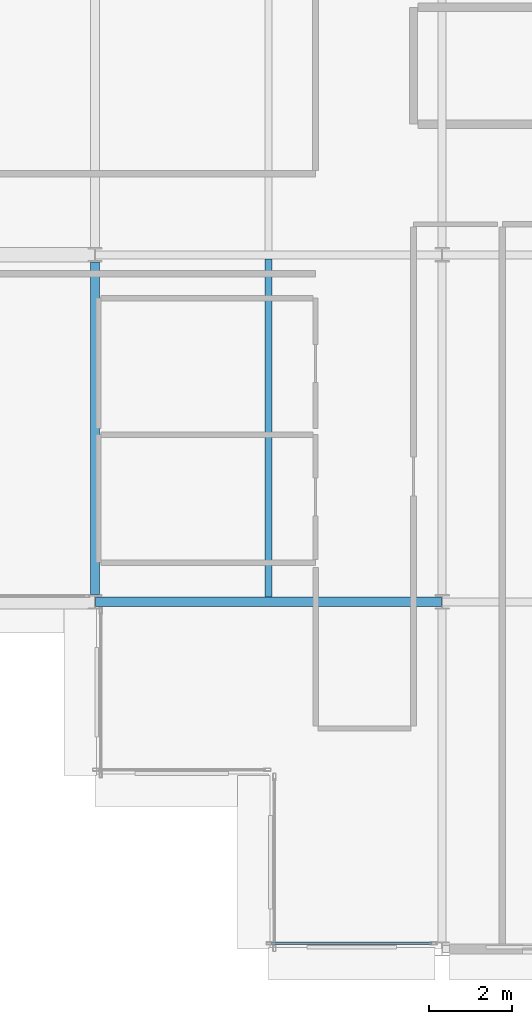
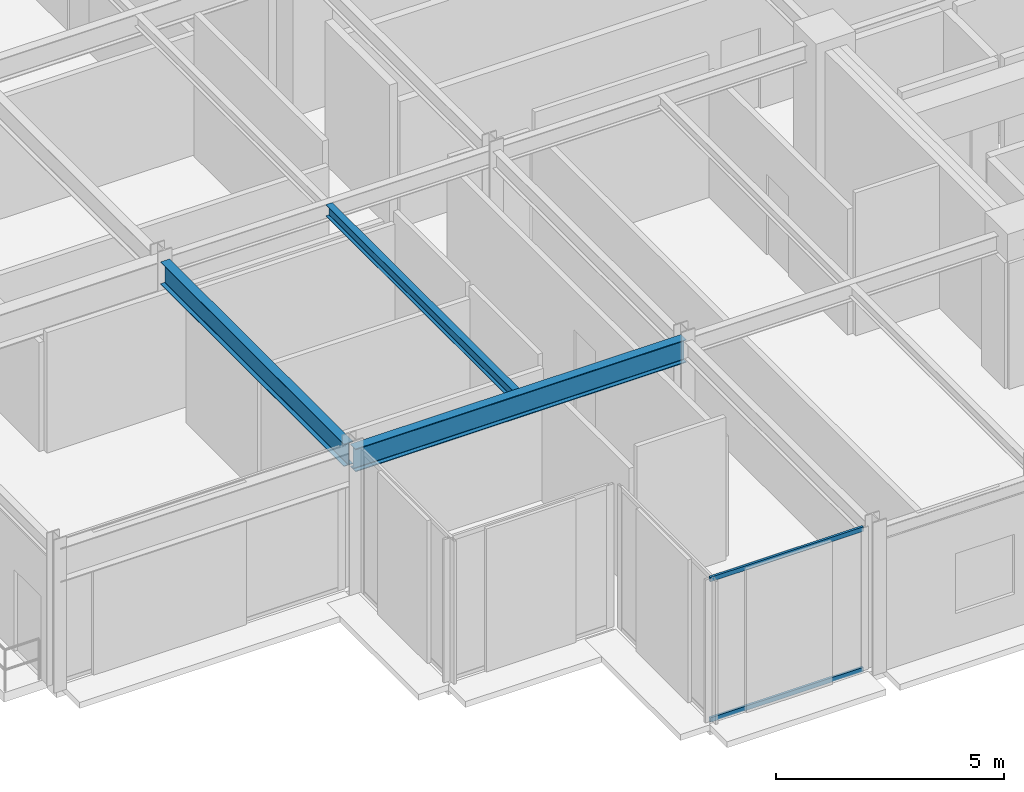
# One storey, part 5 of 29: 3 beams, 2 members, 1 element without a shape of its own.
"""IFC4 building model written with IfcOpenShell, lengths in metres."""

from ifc_helpers import new_model, si_unit, direction, frame, origin, origin_2d, place, context, subcontext, project, spatial, hollow_rectangle, i_section, extrude, material, layer, layer_set, material_profile, profile_set, type_object, element, aggregate, save


model = new_model("IFC4")

# Units and contexts
model_context = context("Model", 3, precision=1e-05, world=origin(), true_north=direction((0.0, 1.0)))
body_context = subcontext(model_context, "Body", "Model", "MODEL_VIEW")
ifc_project = project(units=[si_unit("LENGTHUNIT", "METRE"), si_unit("AREAUNIT", "SQUARE_METRE"), si_unit("VOLUMEUNIT", "CUBIC_METRE"), si_unit("PLANEANGLEUNIT", "RADIAN"), si_unit("MASSUNIT", "GRAM", prefix="KILO")], contexts=[model_context])

# Site, building, storey
site_placement = place(None, origin())
site = spatial("IfcSite", under=ifc_project, at=site_placement, CompositionType="ELEMENT")
building_placement = place(site_placement, origin())
building = spatial("IfcBuilding", under=site, at=building_placement, Name="Nerrivon Quay Data Exchange", CompositionType="ELEMENT")
storey_placement = place(building_placement, frame((0.0, 0.0, 191.89990234375)))
storey = spatial("IfcBuildingStorey", under=building, at=storey_placement, Name="L45", CompositionType="ELEMENT", Elevation=191.89990234375)

# Beams
ifc_material_1 = material(Name="Steel Grade 350", Category="steel")
ifc_material_profile_1 = material_profile(ifc_material_1, i_section(OverallWidth=0.22900390625, OverallDepth=0.612060546875, WebThickness=0.011962890625, FlangeThickness=0.01953125, FilletRadius=0.013916015625, at=origin_2d()), Name="610UB125")
ifc_profile_set_1 = profile_set([ifc_material_profile_1], Name="Steel Grade 350")
beam_type_1 = type_object("IfcBeamType", Name="BM-G1-610UB125", PredefinedType="BEAM", material=ifc_profile_set_1)
beam_1_placement = place(storey_placement, frame((0.010009765625, 8.39990234375, 3.51904296875), z_axis=(1.0, 0.0, 0.0), x_axis=(0.0, 1.0, 0.0)))
element("IfcBeam", 1, at=beam_1_placement, inside=storey, type_object=beam_type_1, Name="L45 EW Girder Y=8.4 (0.0..8.4)", PredefinedType="BEAM", context=body_context, shape_type="SweptSolid", body=[
    extrude(i_section(OverallWidth=0.22900390625, OverallDepth=0.612060546875, WebThickness=0.011962890625, FlangeThickness=0.01953125, FilletRadius=0.013916015625, at=origin_2d()), origin(), (0.0, 0.0, 1.0), 8.3798828125),
])
ifc_material_profile_2 = material_profile(ifc_material_1, i_section(OverallWidth=0.22802734375, OverallDepth=0.60205078125, WebThickness=0.010498046875, FlangeThickness=0.014892578125, FilletRadius=0.013916015625, at=origin_2d()), Name="610UB101")
ifc_profile_set_2 = profile_set([ifc_material_profile_2], Name="Steel Grade 350")
beam_type_2 = type_object("IfcBeamType", Name="BM-G2-610UB101", PredefinedType="BEAM", material=ifc_profile_set_2)
beam_2_placement = place(storey_placement, frame((0.0, 8.574951171875, 3.524169921875), z_axis=(0.0, 1.0, 0.0), x_axis=(-1.0, 0.0, 0.0)))
element("IfcBeam", 2, at=beam_2_placement, inside=storey, type_object=beam_type_2, Name="L45 NS Girder X=0.0 (8.4..16.8)", PredefinedType="BEAM", context=body_context, shape_type="SweptSolid", body=[
    extrude(i_section(OverallWidth=0.22802734375, OverallDepth=0.60205078125, WebThickness=0.010498046875, FlangeThickness=0.014892578125, FilletRadius=0.013916015625, at=origin_2d()), origin(), (0.0, 0.0, 1.0), 8.050048828125),
])
ifc_material_profile_3 = material_profile(ifc_material_1, i_section(OverallWidth=0.166015625, OverallDepth=0.306884765625, WebThickness=0.006591796875, FlangeThickness=0.01171875, FilletRadius=0.011474609375, at=origin_2d()), Name="310UB46.2")
ifc_profile_set_3 = profile_set([ifc_material_profile_3], Name="Steel Grade 350")
beam_type_3 = type_object("IfcBeamType", Name="BM-J5-310UB46", PredefinedType="JOIST", material=ifc_profile_set_3)
beam_3_placement = place(storey_placement, frame((4.199951171875, 8.514404296875, 3.671630859375), z_axis=(0.0, 1.0, 0.0), x_axis=(-1.0, 0.0, 0.0)))
element("IfcBeam", 3, at=beam_3_placement, inside=storey, type_object=beam_type_3, Name="L45 Secondary Joist X=4.2 (8.4..16.8)", PredefinedType="JOIST", context=body_context, shape_type="SweptSolid", body=[
    extrude(i_section(OverallWidth=0.166015625, OverallDepth=0.306884765625, WebThickness=0.006591796875, FlangeThickness=0.01171875, FilletRadius=0.011474609375, at=origin_2d()), origin(), (0.0, 0.0, 1.0), 8.190185546875),
])

# Curtain wall, members
ifc_material_2 = material(Name="Anodised aluminium 6063-T6", Category="aluminium")
ifc_layer = layer(ifc_material_2, 0.195068359375)
ifc_layer_set = layer_set([ifc_layer], Name="Anodised aluminium 6063-T6")
curtain_wall_type = type_object("IfcCurtainWallType", Name="CW-SYS-06", PredefinedType="NOTDEFINED", material=ifc_layer_set)
curtain_wall_placement = place(storey_placement, origin())
curtain_wall = element("IfcCurtainWall", 4, at=curtain_wall_placement, inside=storey, type_object=curtain_wall_type, Name="L45 Unitised Curtain Wall 28", PredefinedType="NOTDEFINED")
ifc_material_profile_4 = material_profile(ifc_material_2, hollow_rectangle(XDim=0.06005859375, YDim=0.1201171875, WallThickness=0.003173828125, at=origin_2d()), Name="ALU-TRAN-120x60")
ifc_profile_set_4 = profile_set([ifc_material_profile_4], Name="Anodised aluminium 6063-T6")
member_type = type_object("IfcMemberType", Name="CWT-120x60", PredefinedType="USERDEFINED", material=ifc_profile_set_4)
member_1_placement = place(storey_placement, frame((8.14990234375, 0.139892578125, 0.03271484375), z_axis=(-1.0, 0.0, 0.0), x_axis=(0.0, -1.0, 0.0)))
member_1 = element("IfcMember", 5, at=member_1_placement, type_object=member_type, Name="CW06 transom 1.1", ObjectType="TRANSOM", PredefinedType="USERDEFINED", context=body_context, shape_type="SweptSolid", body=[
    extrude(hollow_rectangle(XDim=0.06005859375, YDim=0.1201171875, WallThickness=0.003173828125, at=origin_2d()), origin(), (0.0, 0.0, 1.0), 3.875),
])
member_2_placement = place(storey_placement, frame((8.14990234375, 0.139892578125, 3.79248046875), z_axis=(-1.0, 0.0, 0.0), x_axis=(0.0, -1.0, 0.0)))
member_2 = element("IfcMember", 6, at=member_2_placement, type_object=member_type, Name="CW06 transom 1.2", ObjectType="TRANSOM", PredefinedType="USERDEFINED", context=body_context, shape_type="SweptSolid", body=[
    extrude(hollow_rectangle(XDim=0.06005859375, YDim=0.1201171875, WallThickness=0.003173828125, at=origin_2d()), origin(), (0.0, 0.0, 1.0), 3.875),
])
aggregate(curtain_wall, [member_1, member_2])

save(model, "model.ifc")
